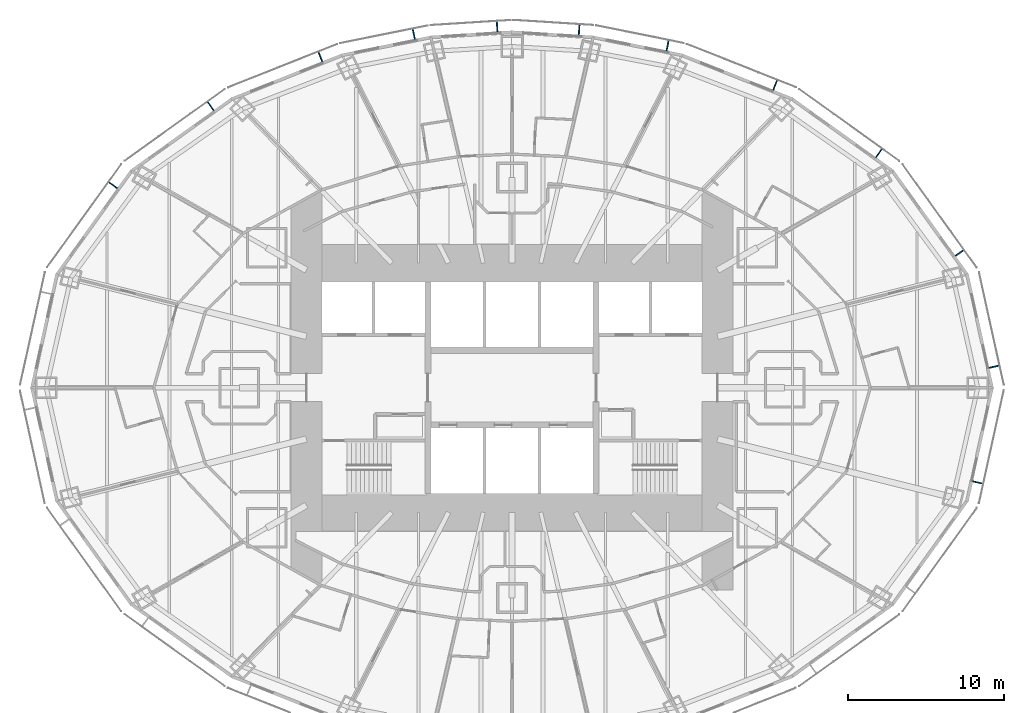
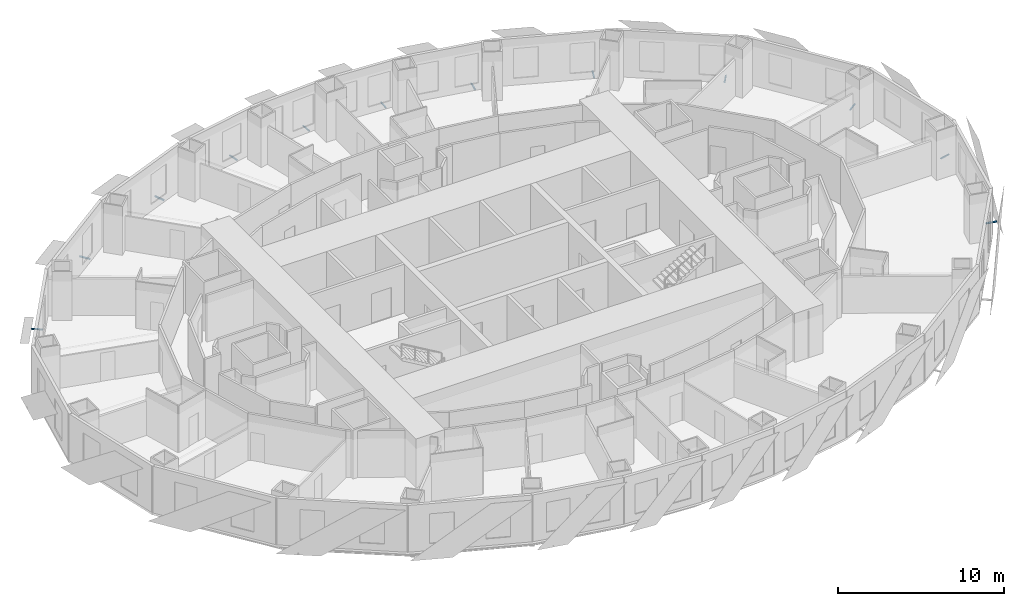
# One storey, part 12 of 15: 12 discrete accessories.
"""IFC4 building model written with IfcOpenShell, lengths in metres."""

from ifc_helpers import new_model, si_unit, direction, frame, origin, origin_2d, place, context, subcontext, project, spatial, rectangle, extrude, element, save


model = new_model("IFC4")

# Units and contexts
model_context = context("Model", 3, precision=1e-05, world=origin(), true_north=direction((0.0, 1.0)))
body_context = subcontext(model_context, "Body", "Model", "MODEL_VIEW")
ifc_project = project(units=[si_unit("LENGTHUNIT", "METRE"), si_unit("AREAUNIT", "SQUARE_METRE"), si_unit("VOLUMEUNIT", "CUBIC_METRE"), si_unit("PLANEANGLEUNIT", "RADIAN"), si_unit("MASSUNIT", "GRAM", prefix="KILO")], contexts=[model_context])

# Site, building, storey
site_placement = place(None, origin())
site = spatial("IfcSite", under=ifc_project, at=site_placement, CompositionType="ELEMENT")
building_placement = place(site_placement, origin())
building = spatial("IfcBuilding", under=site, at=building_placement, Name="Lantaw Convention Tower", CompositionType="ELEMENT")
storey_placement = place(building_placement, frame((0.0, 0.0, 98.199951171875)))
storey = spatial("IfcBuildingStorey", under=building, at=storey_placement, Name="L23", CompositionType="ELEMENT", Elevation=98.199951171875)

# Discrete accessories
for number, where, z_axis, x_axis, name in (
    (1, (30.967529296875, 1.35009765625, -0.114990234375), (0.0, 0.0, 1.0), (-0.215246056391, 0.976559847223, 0.0), "Screen bracket"),
    (2, (28.745849609375, 8.65869140625, -0.114990234375), (0.0, 0.0, 1.0), (-0.583951250436, 0.811788726895, 0.0), "Screen bracket"),
    (3, (23.564453125, 15.06640625, -0.114990234375), (0.0, 0.0, 1.0), (-0.812803733199, 0.5825376308, 0.0), "Screen bracket"),
    (4, (16.898193359375, 19.4345703125, -0.114990234375), (0.0, 0.0, 1.0), (-0.929361152748, 0.369171840425, 0.0), "Screen bracket"),
    (5, (9.990478515625, 21.974365234375, -0.114990234375), (0.0, 0.0, 1.0), (-0.980244604501, 0.197789067813, 0.0), "Screen bracket"),
    (6, (4.310302734375, 22.987548828125, -0.114990234375), (0.0, 0.0, 1.0), (-0.998016153807, 0.062958373078, 0.0), "Screen bracket"),
    (7, (-0.9560546875, 23.19921875, -0.114990234375), (0.0, 0.0, 1.0), (-0.998016153807, -0.062958373078, 0.0), "Screen bracket"),
    (8, (-6.307861328125, 22.71728515625, -0.114990234375), (0.0, 0.0, 1.0), (-0.980244604501, -0.197789067813, 0.0), "Screen bracket"),
    (9, (-12.309814453125, 21.25732421875, -0.114990234375), (0.0, 0.0, 1.0), (-0.929361152748, -0.369171840425, 0.0), "Screen bracket"),
    (10, (-19.352294921875, 18.085205078125, -0.114990234375), (0.0, 0.0, 1.0), (-0.812803733199, -0.5825376308, 0.0), "Screen bracket"),
    (11, (-25.61962890625, 13.004638671875, -0.114990234375), (0.0, 0.0, 1.0), (-0.583951250436, -0.811788726895, 0.0), "Screen bracket"),
    (12, (29.92333984375, -6.087890625, -0.114990234375), (0.0, 0.0, 1.0), (0.215246056391, 0.976559847223, 0.0), "Screen bracket"),
):
    element("IfcDiscreteAccessory", number, at=place(storey_placement, frame(where, z_axis=z_axis, x_axis=x_axis)), inside=storey, Name=name, PredefinedType="BRACKET", context=body_context, shape_type="SweptSolid", body=[
        extrude(rectangle(XDim=0.080078125, YDim=0.68798828125, at=origin_2d()), origin(), (0.0, 0.0, 1.0), 0.080078125),
    ])

save(model, "model.ifc")
